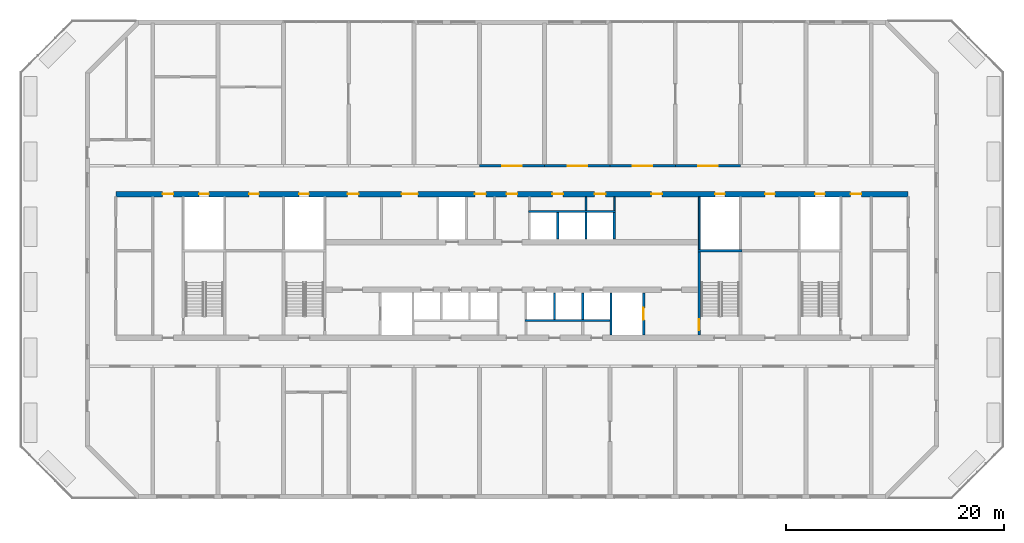
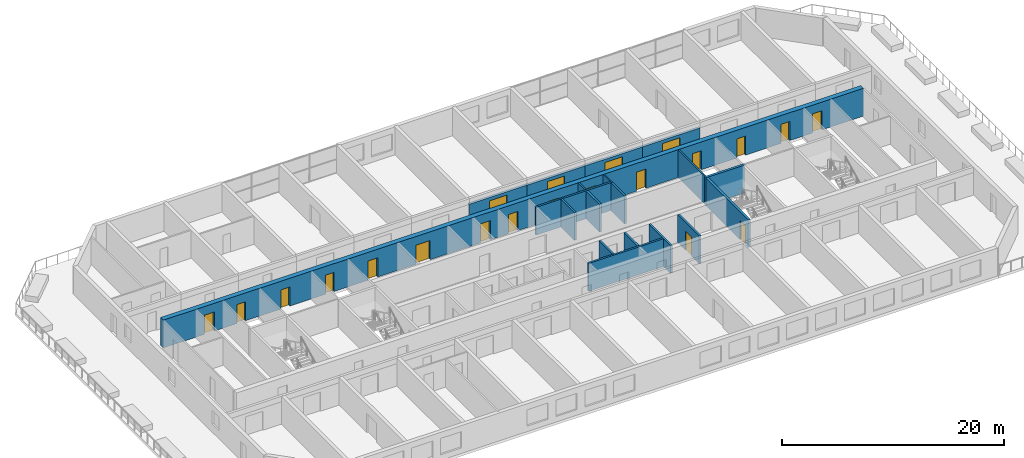
# One storey, part 11 of 18: 21 doors, 19 walls, 21 openings.
"""IFC4 building model written with IfcOpenShell, lengths in metres."""

from ifc_helpers import new_model, si_unit, direction, frame, frame_2d, origin, place, context, subcontext, project, spatial, rectangle, extrude, material, layer, layer_set, type_object, element, fill, save


model = new_model("IFC4")

# Units and contexts
model_context = context("Model", 3, precision=1e-05, world=origin(), true_north=direction((0.0, 1.0)))
body_context = subcontext(model_context, "Body", "Model", "MODEL_VIEW")
ifc_project = project(units=[si_unit("LENGTHUNIT", "METRE"), si_unit("AREAUNIT", "SQUARE_METRE"), si_unit("VOLUMEUNIT", "CUBIC_METRE"), si_unit("PLANEANGLEUNIT", "RADIAN"), si_unit("MASSUNIT", "GRAM", prefix="KILO")], contexts=[model_context])

# Site, building, storey
site_placement = place(None, origin())
site = spatial("IfcSite", under=ifc_project, at=site_placement, CompositionType="ELEMENT")
building_placement = place(site_placement, origin())
building = spatial("IfcBuilding", under=site, at=building_placement, Name="Poui Terraces", CompositionType="ELEMENT")
storey_placement = place(building_placement, frame((0.0, 0.0, 105.89990234375)))
storey = spatial("IfcBuildingStorey", under=building, at=storey_placement, Name="L29", CompositionType="ELEMENT", Elevation=105.89990234375)

# Wall, opening, door
ifc_material_1 = material(Name="Concrete 65 MPa", Category="concrete")
ifc_layer_1 = layer(ifc_material_1, 0.25)
ifc_layer_set_1 = layer_set([ifc_layer_1], Name="Concrete 65 MPa")
wall_type_1 = type_object("IfcWallType", Name="CORRIDOR WALL 250 65MPa", PredefinedType="SHEAR", material=ifc_layer_set_1)
wall_1_placement = place(storey_placement, frame((48.0, 30.39990234375, 0.0), z_axis=(0.0, 0.0, 1.0), x_axis=(1.0, 0.0, 0.0)))
wall_1 = element("IfcWall", 1, at=wall_1_placement, inside=storey, type_object=wall_type_1, Name="CORRIDOR WALL LINE E BAY 7", PredefinedType="SHEAR", context=body_context, shape_type="SweptSolid", body=[
    extrude(rectangle(XDim=6.0, YDim=0.25, at=frame_2d((3.0, 0.0))), origin(), (0.0, 0.0, 1.0), 2.460205078125),
])
opening_1_placement = place(wall_1_placement, frame((2.10009765625, 0.0, 0.0)))
opening_1 = element("IfcOpeningElement", 2, at=opening_1_placement, cuts=wall_1, Name="Opening DD180", PredefinedType="OPENING", context=body_context, shape_type="SweptSolid", body=[
    extrude(rectangle(XDim=1.800048828125, YDim=2.10009765625, at=frame_2d((0.89990234375, 1.050048828125))), frame((0.0, 0.135009765625, 0.0), z_axis=(0.0, -1.0, 0.0), x_axis=(1.0, 0.0, 0.0)), (0.0, 0.0, 1.0), 0.27001953125),
])
ifc_material_2 = material(Name="Steel fire door", Category="steel")
door_type_1 = type_object("IfcDoorType", Name="DOUBLE INTERNAL DOOR 1800 X 2100", OperationType="DOUBLE_DOOR_SINGLE_SWING", PredefinedType="DOOR", material=ifc_material_2)
door_1_placement = place(opening_1_placement, frame((1.800048828125, 0.0, 0.0), z_axis=(0.0, 0.0, 1.0), x_axis=(-1.0, 0.0, 0.0)))
door_1 = element("IfcDoor", 3, at=door_1_placement, inside=storey, type_object=door_type_1, Name="DOUBLE INTERNAL DOOR 017", OperationType="DOUBLE_DOOR_SINGLE_SWING", OverallHeight=2.10009765625, OverallWidth=1.800048828125, PredefinedType="DOOR", context=body_context, shape_type="SweptSolid", body=[
    extrude(rectangle(XDim=1.800048828125, YDim=2.10009765625, at=frame_2d((0.89990234375, 1.050048828125))), frame((0.0, 0.02490234375, 0.0), z_axis=(0.0, -1.0, 0.0), x_axis=(1.0, 0.0, 0.0)), (0.0, 0.0, 1.0), 0.050048828125),
])
fill(opening_1, door_1)

wall_2_placement = place(storey_placement, frame((54.0, 30.39990234375, 0.0), z_axis=(0.0, 0.0, 1.0), x_axis=(1.0, 0.0, 0.0)))
wall_2 = element("IfcWall", 4, at=wall_2_placement, inside=storey, type_object=wall_type_1, Name="CORRIDOR WALL LINE E BAY 8", PredefinedType="SHEAR", context=body_context, shape_type="SweptSolid", body=[
    extrude(rectangle(XDim=6.0, YDim=0.25, at=frame_2d((3.0, 0.0))), origin(), (0.0, 0.0, 1.0), 2.460205078125),
])
opening_2_placement = place(wall_2_placement, frame((2.10009765625, 0.0, 0.0)))
opening_2 = element("IfcOpeningElement", 5, at=opening_2_placement, cuts=wall_2, Name="Opening DD180", PredefinedType="OPENING", context=body_context, shape_type="SweptSolid", body=[
    extrude(rectangle(XDim=1.800048828125, YDim=2.10009765625, at=frame_2d((0.89990234375, 1.050048828125))), frame((0.0, 0.135009765625, 0.0), z_axis=(0.0, -1.0, 0.0), x_axis=(1.0, 0.0, 0.0)), (0.0, 0.0, 1.0), 0.27001953125),
])
door_2_placement = place(opening_2_placement, frame((1.800048828125, 0.0, 0.0), z_axis=(0.0, 0.0, 1.0), x_axis=(-1.0, 0.0, 0.0)))
door_2 = element("IfcDoor", 6, at=door_2_placement, inside=storey, type_object=door_type_1, Name="DOUBLE INTERNAL DOOR 019", OperationType="DOUBLE_DOOR_SINGLE_SWING", OverallHeight=2.10009765625, OverallWidth=1.800048828125, PredefinedType="DOOR", context=body_context, shape_type="SweptSolid", body=[
    extrude(rectangle(XDim=1.800048828125, YDim=2.10009765625, at=frame_2d((0.89990234375, 1.050048828125))), frame((0.0, 0.02490234375, 0.0), z_axis=(0.0, -1.0, 0.0), x_axis=(1.0, 0.0, 0.0)), (0.0, 0.0, 1.0), 0.050048828125),
])
fill(opening_2, door_2)

wall_3_placement = place(storey_placement, frame((60.0, 30.39990234375, 0.0), z_axis=(0.0, 0.0, 1.0), x_axis=(1.0, 0.0, 0.0)))
wall_3 = element("IfcWall", 7, at=wall_3_placement, inside=storey, type_object=wall_type_1, Name="CORRIDOR WALL LINE E BAY 9", PredefinedType="SHEAR", context=body_context, shape_type="SweptSolid", body=[
    extrude(rectangle(XDim=6.0, YDim=0.25, at=frame_2d((3.0, 0.0))), origin(), (0.0, 0.0, 1.0), 2.460205078125),
])
opening_3_placement = place(wall_3_placement, frame((2.10009765625, 0.0, 0.0)))
opening_3 = element("IfcOpeningElement", 8, at=opening_3_placement, cuts=wall_3, Name="Opening DD180", PredefinedType="OPENING", context=body_context, shape_type="SweptSolid", body=[
    extrude(rectangle(XDim=1.800048828125, YDim=2.10009765625, at=frame_2d((0.89990234375, 1.050048828125))), frame((0.0, 0.135009765625, 0.0), z_axis=(0.0, -1.0, 0.0), x_axis=(1.0, 0.0, 0.0)), (0.0, 0.0, 1.0), 0.27001953125),
])
door_3_placement = place(opening_3_placement, frame((1.800048828125, 0.0, 0.0), z_axis=(0.0, 0.0, 1.0), x_axis=(-1.0, 0.0, 0.0)))
door_3 = element("IfcDoor", 9, at=door_3_placement, inside=storey, type_object=door_type_1, Name="DOUBLE INTERNAL DOOR 021", OperationType="DOUBLE_DOOR_SINGLE_SWING", OverallHeight=2.10009765625, OverallWidth=1.800048828125, PredefinedType="DOOR", context=body_context, shape_type="SweptSolid", body=[
    extrude(rectangle(XDim=1.800048828125, YDim=2.10009765625, at=frame_2d((0.89990234375, 1.050048828125))), frame((0.0, 0.02490234375, 0.0), z_axis=(0.0, -1.0, 0.0), x_axis=(1.0, 0.0, 0.0)), (0.0, 0.0, 1.0), 0.050048828125),
])
fill(opening_3, door_3)

wall_4_placement = place(storey_placement, frame((66.0, 30.39990234375, 0.0), z_axis=(0.0, 0.0, 1.0), x_axis=(1.0, 0.0, 0.0)))
wall_4 = element("IfcWall", 10, at=wall_4_placement, inside=storey, type_object=wall_type_1, Name="CORRIDOR WALL LINE E BAY 10", PredefinedType="SHEAR", context=body_context, shape_type="SweptSolid", body=[
    extrude(rectangle(XDim=6.0, YDim=0.25, at=frame_2d((3.0, 0.0))), origin(), (0.0, 0.0, 1.0), 2.460205078125),
])
opening_4_placement = place(wall_4_placement, frame((2.10009765625, 0.0, 0.0)))
opening_4 = element("IfcOpeningElement", 11, at=opening_4_placement, cuts=wall_4, Name="Opening DD180", PredefinedType="OPENING", context=body_context, shape_type="SweptSolid", body=[
    extrude(rectangle(XDim=1.800048828125, YDim=2.10009765625, at=frame_2d((0.89990234375, 1.050048828125))), frame((0.0, 0.135009765625, 0.0), z_axis=(0.0, -1.0, 0.0), x_axis=(1.0, 0.0, 0.0)), (0.0, 0.0, 1.0), 0.27001953125),
])
door_4_placement = place(opening_4_placement, frame((1.800048828125, 0.0, 0.0), z_axis=(0.0, 0.0, 1.0), x_axis=(-1.0, 0.0, 0.0)))
door_4 = element("IfcDoor", 12, at=door_4_placement, inside=storey, type_object=door_type_1, Name="DOUBLE INTERNAL DOOR 023", OperationType="DOUBLE_DOOR_SINGLE_SWING", OverallHeight=2.10009765625, OverallWidth=1.800048828125, PredefinedType="DOOR", context=body_context, shape_type="SweptSolid", body=[
    extrude(rectangle(XDim=1.800048828125, YDim=2.10009765625, at=frame_2d((0.89990234375, 1.050048828125))), frame((0.0, 0.02490234375, 0.0), z_axis=(0.0, -1.0, 0.0), x_axis=(1.0, 0.0, 0.0)), (0.0, 0.0, 1.0), 0.050048828125),
])
fill(opening_4, door_4)

# Walls
ifc_material_3 = material(Name="Plasterboard partition")
ifc_layer_2 = layer(ifc_material_3, 0.14990234375)
ifc_layer_set_2 = layer_set([ifc_layer_2], Name="Plasterboard partition")
wall_type_2 = type_object("IfcWallType", Name="PARTITION WALL 150", PredefinedType="PARTITIONING", material=ifc_layer_set_2)
for number, where, z_axis, x_axis, name in (
    (13, (57.800048828125, 26.300048828125, 0.0), (0.0, 0.0, 1.0), (0.0, 1.0, 0.0), "PARTITION WALL 150"),
    (14, (60.39990234375, 26.300048828125, 0.0), (0.0, 0.0, 1.0), (0.0, 1.0, 0.0), "PARTITION WALL 150"),
):
    element("IfcWall", number, at=place(storey_placement, frame(where, z_axis=z_axis, x_axis=x_axis)), inside=storey, type_object=wall_type_2, Name=name, PredefinedType="PARTITIONING", context=body_context, shape_type="SweptSolid", body=[
        extrude(rectangle(XDim=1.239990234375, YDim=0.14990234375, at=frame_2d((0.6201171875, 0.0))), origin(), (0.0, 0.0, 1.0), 3.06005859375),
    ])
ifc_material_4 = material(Name="Fire-rated plasterboard riser wall")
ifc_layer_3 = layer(ifc_material_4, 0.14990234375)
ifc_layer_set_3 = layer_set([ifc_layer_3], Name="Fire-rated plasterboard riser wall")
wall_type_3 = type_object("IfcWallType", Name="RISER WALL 150", PredefinedType="PARTITIONING", material=ifc_layer_set_3)
wall_5_placement = place(storey_placement, frame((68.199951171875, 22.735107421875, 0.0), z_axis=(0.0, 0.0, 1.0), x_axis=(0.0, 1.0, 0.0)))
element("IfcWall", 15, at=wall_5_placement, inside=storey, type_object=wall_type_3, Name="RISER WALL 150", PredefinedType="PARTITIONING", context=body_context, shape_type="SweptSolid", body=[
    extrude(rectangle(XDim=4.804931640625, YDim=0.14990234375, at=frame_2d((2.40234375, 0.0))), origin(), (0.0, 0.0, 1.0), 3.06005859375),
])
ifc_material_5 = material(Name="Fire-rated masonry shaft wall", Category="masonry")
ifc_layer_4 = layer(ifc_material_5, 0.199951171875)
ifc_layer_set_4 = layer_set([ifc_layer_4], Name="Fire-rated masonry shaft wall")
wall_type_4 = type_object("IfcWallType", Name="SHAFT WALL 200", PredefinedType="PARTITIONING", material=ifc_layer_set_4)
wall_6_placement = place(storey_placement, frame((52.199951171875, 16.199951171875, 0.0), z_axis=(0.0, 0.0, 1.0), x_axis=(1.0, 0.0, 0.0)))
element("IfcWall", 16, at=wall_6_placement, inside=storey, type_object=wall_type_4, Name="SHAFT WALL 200", PredefinedType="PARTITIONING", context=body_context, shape_type="SweptSolid", body=[
    extrude(rectangle(XDim=7.800048828125, YDim=0.199951171875, at=frame_2d((3.89990234375, 0.0))), origin(), (0.0, 0.0, 1.0), 3.06005859375),
])
wall_7_placement = place(storey_placement, frame((52.5, 26.199951171875, 0.0), z_axis=(0.0, 0.0, 1.0), x_axis=(1.0, 0.0, 0.0)))
element("IfcWall", 17, at=wall_7_placement, inside=storey, type_object=wall_type_4, Name="SHAFT WALL 200", PredefinedType="PARTITIONING", context=body_context, shape_type="SweptSolid", body=[
    extrude(rectangle(XDim=8.0, YDim=0.199951171875, at=frame_2d((4.0, 0.0))), origin(), (0.0, 0.0, 1.0), 3.06005859375),
])
wall_8_placement = place(storey_placement, frame((54.89990234375, 16.300048828125, 0.0), z_axis=(0.0, 0.0, 1.0), x_axis=(0.0, 1.0, 0.0)))
element("IfcWall", 18, at=wall_8_placement, inside=storey, type_object=wall_type_4, Name="SHAFT WALL 200", PredefinedType="PARTITIONING", context=body_context, shape_type="SweptSolid", body=[
    extrude(rectangle(XDim=2.43994140625, YDim=0.199951171875, at=frame_2d((1.219970703125, 0.0))), origin(), (0.0, 0.0, 1.0), 3.06005859375),
])
wall_9_placement = place(storey_placement, frame((55.199951171875, 23.659912109375, 0.0), z_axis=(0.0, 0.0, 1.0), x_axis=(0.0, 1.0, 0.0)))
element("IfcWall", 19, at=wall_9_placement, inside=storey, type_object=wall_type_4, Name="SHAFT WALL 200", PredefinedType="PARTITIONING", context=body_context, shape_type="SweptSolid", body=[
    extrude(rectangle(XDim=2.440185546875, YDim=0.199951171875, at=frame_2d((1.22021484375, 0.0))), origin(), (0.0, 0.0, 1.0), 3.06005859375),
])
wall_10_placement = place(storey_placement, frame((57.5, 16.300048828125, 0.0), z_axis=(0.0, 0.0, 1.0), x_axis=(0.0, 1.0, 0.0)))
element("IfcWall", 20, at=wall_10_placement, inside=storey, type_object=wall_type_4, Name="SHAFT WALL 200", PredefinedType="PARTITIONING", context=body_context, shape_type="SweptSolid", body=[
    extrude(rectangle(XDim=2.43994140625, YDim=0.199951171875, at=frame_2d((1.219970703125, 0.0))), origin(), (0.0, 0.0, 1.0), 3.06005859375),
])
wall_11_placement = place(storey_placement, frame((57.800048828125, 23.659912109375, 0.0), z_axis=(0.0, 0.0, 1.0), x_axis=(0.0, 1.0, 0.0)))
element("IfcWall", 21, at=wall_11_placement, inside=storey, type_object=wall_type_4, Name="SHAFT WALL 200", PredefinedType="PARTITIONING", context=body_context, shape_type="SweptSolid", body=[
    extrude(rectangle(XDim=2.440185546875, YDim=0.199951171875, at=frame_2d((1.22021484375, 0.0))), origin(), (0.0, 0.0, 1.0), 3.06005859375),
])
wall_12_placement = place(storey_placement, frame((60.10009765625, 14.860107421875, 0.0), z_axis=(0.0, 0.0, 1.0), x_axis=(0.0, 1.0, 0.0)))
element("IfcWall", 22, at=wall_12_placement, inside=storey, type_object=wall_type_4, Name="SHAFT WALL 200", PredefinedType="PARTITIONING", context=body_context, shape_type="SweptSolid", body=[
    extrude(rectangle(XDim=3.8798828125, YDim=0.199951171875, at=frame_2d((1.93994140625, 0.0))), origin(), (0.0, 0.0, 1.0), 3.06005859375),
])
wall_13_placement = place(storey_placement, frame((60.39990234375, 23.659912109375, 0.0), z_axis=(0.0, 0.0, 1.0), x_axis=(0.0, 1.0, 0.0)))
element("IfcWall", 23, at=wall_13_placement, inside=storey, type_object=wall_type_4, Name="SHAFT WALL 200", PredefinedType="PARTITIONING", context=body_context, shape_type="SweptSolid", body=[
    extrude(rectangle(XDim=2.440185546875, YDim=0.199951171875, at=frame_2d((1.22021484375, 0.0))), origin(), (0.0, 0.0, 1.0), 3.06005859375),
])

# Wall, opening, door
wall_14_placement = place(storey_placement, frame((63.10009765625, 14.860107421875, 0.0), z_axis=(0.0, 0.0, 1.0), x_axis=(0.0, 1.0, 0.0)))
wall_14 = element("IfcWall", 24, at=wall_14_placement, inside=storey, type_object=wall_type_4, Name="SHAFT WALL 200", PredefinedType="PARTITIONING", context=body_context, shape_type="SweptSolid", body=[
    extrude(rectangle(XDim=3.8798828125, YDim=0.199951171875, at=frame_2d((1.93994140625, 0.0))), origin(), (0.0, 0.0, 1.0), 3.06005859375),
])
opening_5_placement = place(wall_14_placement, frame((1.389892578125, 0.0, 0.0)))
opening_5 = element("IfcOpeningElement", 25, at=opening_5_placement, cuts=wall_14, Name="Opening LD", PredefinedType="OPENING", context=body_context, shape_type="SweptSolid", body=[
    extrude(rectangle(XDim=1.10009765625, YDim=2.10009765625, at=frame_2d((0.550048828125, 1.050048828125))), frame((0.0, 0.10986328125, 0.0), z_axis=(0.0, -1.0, 0.0), x_axis=(1.0, 0.0, 0.0)), (0.0, 0.0, 1.0), 0.219970703125),
])
ifc_material_6 = material(Name="Stainless steel sliding door", Category="steel")
door_type_2 = type_object("IfcDoorType", Name="LIFT LANDING DOOR 1100 X 2100", OperationType="DOUBLE_DOOR_SLIDING", PredefinedType="DOOR", material=ifc_material_6)
door_5_placement = place(opening_5_placement, origin())
door_5 = element("IfcDoor", 26, at=door_5_placement, inside=storey, type_object=door_type_2, Name="LANDING DOOR", OperationType="DOUBLE_DOOR_SLIDING", OverallHeight=2.10009765625, OverallWidth=1.10009765625, PredefinedType="DOOR", context=body_context, shape_type="SweptSolid", body=[
    extrude(rectangle(XDim=1.10009765625, YDim=2.10009765625, at=frame_2d((0.550048828125, 1.050048828125))), frame((0.0, 0.02490234375, 0.0), z_axis=(0.0, -1.0, 0.0), x_axis=(1.0, 0.0, 0.0)), (0.0, 0.0, 1.0), 0.050048828125),
])
fill(opening_5, door_5)

# Wall, openings, doors
ifc_layer_5 = layer(ifc_material_1, 0.5)
ifc_layer_set_5 = layer_set([ifc_layer_5], Name="Concrete 65 MPa")
wall_type_5 = type_object("IfcWallType", Name="SPINE WALL 500 65 MPA", PredefinedType="SOLIDWALL", material=ifc_layer_set_5)
wall_15_placement = place(storey_placement, frame((14.60009765625, 27.800048828125, 0.0), z_axis=(0.0, 0.0, 1.0), x_axis=(1.0, 0.0, 0.0)))
wall_15 = element("IfcWall", 27, at=wall_15_placement, inside=storey, type_object=wall_type_5, Name="SPINE WALL", PredefinedType="SOLIDWALL", context=body_context, shape_type="SweptSolid", body=[
    extrude(rectangle(XDim=72.7998046875, YDim=0.5, at=frame_2d((36.39990234375, 0.0))), origin(), (0.0, 0.0, 1.0), 3.06005859375),
])
opening_6_placement = place(wall_15_placement, frame((4.300048828125, 0.0, 0.0)))
opening_6 = element("IfcOpeningElement", 28, at=opening_6_placement, cuts=wall_15, Name="Opening FDL", PredefinedType="OPENING", context=body_context, shape_type="SweptSolid", body=[
    extrude(rectangle(XDim=1.0, YDim=2.10009765625, at=frame_2d((0.5, 1.050048828125))), frame((0.0, 0.260009765625, 0.0), z_axis=(0.0, -1.0, 0.0), x_axis=(1.0, 0.0, 0.0)), (0.0, 0.0, 1.0), 0.52001953125),
])
opening_7_placement = place(wall_15_placement, frame((7.64990234375, 0.0, 0.0)))
opening_7 = element("IfcOpeningElement", 29, at=opening_7_placement, cuts=wall_15, Name="Opening FDR", PredefinedType="OPENING", context=body_context, shape_type="SweptSolid", body=[
    extrude(rectangle(XDim=0.89990234375, YDim=2.10009765625, at=frame_2d((0.449951171875, 1.050048828125))), frame((0.0, 0.260009765625, 0.0), z_axis=(0.0, -1.0, 0.0), x_axis=(1.0, 0.0, 0.0)), (0.0, 0.0, 1.0), 0.52001953125),
])
opening_8_placement = place(wall_15_placement, frame((12.25, 0.0, 0.0)))
opening_8 = element("IfcOpeningElement", 30, at=opening_8_placement, cuts=wall_15, Name="Opening D90", PredefinedType="OPENING", context=body_context, shape_type="SweptSolid", body=[
    extrude(rectangle(XDim=0.89990234375, YDim=2.10009765625, at=frame_2d((0.449951171875, 1.050048828125))), frame((0.0, 0.260009765625, 0.0), z_axis=(0.0, -1.0, 0.0), x_axis=(1.0, 0.0, 0.0)), (0.0, 0.0, 1.0), 0.52001953125),
])
opening_9_placement = place(wall_15_placement, frame((16.85009765625, 0.0, 0.0)))
opening_9 = element("IfcOpeningElement", 31, at=opening_9_placement, cuts=wall_15, Name="Opening FDR", PredefinedType="OPENING", context=body_context, shape_type="SweptSolid", body=[
    extrude(rectangle(XDim=0.89990234375, YDim=2.10009765625, at=frame_2d((0.449951171875, 1.050048828125))), frame((0.0, 0.260009765625, 0.0), z_axis=(0.0, -1.0, 0.0), x_axis=(1.0, 0.0, 0.0)), (0.0, 0.0, 1.0), 0.52001953125),
])
opening_10_placement = place(wall_15_placement, frame((21.300048828125, 0.0, 0.0)))
opening_10 = element("IfcOpeningElement", 32, at=opening_10_placement, cuts=wall_15, Name="Opening FD60", PredefinedType="OPENING", context=body_context, shape_type="SweptSolid", body=[
    extrude(rectangle(XDim=1.0, YDim=2.10009765625, at=frame_2d((0.5, 1.050048828125))), frame((0.0, 0.260009765625, 0.0), z_axis=(0.0, -1.0, 0.0), x_axis=(1.0, 0.0, 0.0)), (0.0, 0.0, 1.0), 0.52001953125),
])
opening_11_placement = place(wall_15_placement, frame((26.25, 0.0, 0.0)))
opening_11 = element("IfcOpeningElement", 33, at=opening_11_placement, cuts=wall_15, Name="Opening FDP", PredefinedType="OPENING", context=body_context, shape_type="SweptSolid", body=[
    extrude(rectangle(XDim=1.5, YDim=2.10009765625, at=frame_2d((0.75, 1.050048828125))), frame((0.0, 0.260009765625, 0.0), z_axis=(0.0, -1.0, 0.0), x_axis=(1.0, 0.0, 0.0)), (0.0, 0.0, 1.0), 0.52001953125),
])
opening_12_placement = place(wall_15_placement, frame((33.0, 0.0, 0.0)))
opening_12 = element("IfcOpeningElement", 34, at=opening_12_placement, cuts=wall_15, Name="Opening FD60", PredefinedType="OPENING", context=body_context, shape_type="SweptSolid", body=[
    extrude(rectangle(XDim=1.0, YDim=2.10009765625, at=frame_2d((0.5, 1.050048828125))), frame((0.0, 0.260009765625, 0.0), z_axis=(0.0, -1.0, 0.0), x_axis=(1.0, 0.0, 0.0)), (0.0, 0.0, 1.0), 0.52001953125),
])
opening_13_placement = place(wall_15_placement, frame((35.89990234375, 0.0, 0.0)))
opening_13 = element("IfcOpeningElement", 35, at=opening_13_placement, cuts=wall_15, Name="Opening FDL", PredefinedType="OPENING", context=body_context, shape_type="SweptSolid", body=[
    extrude(rectangle(XDim=1.0, YDim=2.10009765625, at=frame_2d((0.5, 1.050048828125))), frame((0.0, 0.260009765625, 0.0), z_axis=(0.0, -1.0, 0.0), x_axis=(1.0, 0.0, 0.0)), (0.0, 0.0, 1.0), 0.52001953125),
])
opening_14_placement = place(wall_15_placement, frame((40.10009765625, 0.0, 0.0)))
opening_14 = element("IfcOpeningElement", 36, at=opening_14_placement, cuts=wall_15, Name="Opening FD60", PredefinedType="OPENING", context=body_context, shape_type="SweptSolid", body=[
    extrude(rectangle(XDim=1.0, YDim=2.10009765625, at=frame_2d((0.5, 1.050048828125))), frame((0.0, 0.260009765625, 0.0), z_axis=(0.0, -1.0, 0.0), x_axis=(1.0, 0.0, 0.0)), (0.0, 0.0, 1.0), 0.52001953125),
])
opening_15_placement = place(wall_15_placement, frame((44.0, 0.0, 0.0)))
opening_15 = element("IfcOpeningElement", 37, at=opening_15_placement, cuts=wall_15, Name="Opening FD60", PredefinedType="OPENING", context=body_context, shape_type="SweptSolid", body=[
    extrude(rectangle(XDim=1.0, YDim=2.10009765625, at=frame_2d((0.5, 1.050048828125))), frame((0.0, 0.260009765625, 0.0), z_axis=(0.0, -1.0, 0.0), x_axis=(1.0, 0.0, 0.0)), (0.0, 0.0, 1.0), 0.52001953125),
])
opening_16_placement = place(wall_15_placement, frame((49.199951171875, 0.0, 0.0)))
opening_16 = element("IfcOpeningElement", 38, at=opening_16_placement, cuts=wall_15, Name="Opening FD60", PredefinedType="OPENING", context=body_context, shape_type="SweptSolid", body=[
    extrude(rectangle(XDim=1.0, YDim=2.10009765625, at=frame_2d((0.5, 1.050048828125))), frame((0.0, 0.260009765625, 0.0), z_axis=(0.0, -1.0, 0.0), x_axis=(1.0, 0.0, 0.0)), (0.0, 0.0, 1.0), 0.52001953125),
])
opening_17_placement = place(wall_15_placement, frame((55.050048828125, 0.0, 0.0)))
opening_17 = element("IfcOpeningElement", 39, at=opening_17_placement, cuts=wall_15, Name="Opening FDR", PredefinedType="OPENING", context=body_context, shape_type="SweptSolid", body=[
    extrude(rectangle(XDim=0.89990234375, YDim=2.10009765625, at=frame_2d((0.449951171875, 1.050048828125))), frame((0.0, 0.260009765625, 0.0), z_axis=(0.0, -1.0, 0.0), x_axis=(1.0, 0.0, 0.0)), (0.0, 0.0, 1.0), 0.52001953125),
])
opening_18_placement = place(wall_15_placement, frame((59.64990234375, 0.0, 0.0)))
opening_18 = element("IfcOpeningElement", 40, at=opening_18_placement, cuts=wall_15, Name="Opening D90", PredefinedType="OPENING", context=body_context, shape_type="SweptSolid", body=[
    extrude(rectangle(XDim=0.89990234375, YDim=2.10009765625, at=frame_2d((0.449951171875, 1.050048828125))), frame((0.0, 0.260009765625, 0.0), z_axis=(0.0, -1.0, 0.0), x_axis=(1.0, 0.0, 0.0)), (0.0, 0.0, 1.0), 0.52001953125),
])
opening_19_placement = place(wall_15_placement, frame((64.25, 0.0, 0.0)))
opening_19 = element("IfcOpeningElement", 41, at=opening_19_placement, cuts=wall_15, Name="Opening FDR", PredefinedType="OPENING", context=body_context, shape_type="SweptSolid", body=[
    extrude(rectangle(XDim=0.89990234375, YDim=2.10009765625, at=frame_2d((0.449951171875, 1.050048828125))), frame((0.0, 0.260009765625, 0.0), z_axis=(0.0, -1.0, 0.0), x_axis=(1.0, 0.0, 0.0)), (0.0, 0.0, 1.0), 0.52001953125),
])
opening_20_placement = place(wall_15_placement, frame((67.5, 0.0, 0.0)))
opening_20 = element("IfcOpeningElement", 42, at=opening_20_placement, cuts=wall_15, Name="Opening FDL", PredefinedType="OPENING", context=body_context, shape_type="SweptSolid", body=[
    extrude(rectangle(XDim=1.0, YDim=2.10009765625, at=frame_2d((0.5, 1.050048828125))), frame((0.0, 0.260009765625, 0.0), z_axis=(0.0, -1.0, 0.0), x_axis=(1.0, 0.0, 0.0)), (0.0, 0.0, 1.0), 0.52001953125),
])
ifc_material_7 = material(Name="Solid core timber door", Category="wood")
door_type_3 = type_object("IfcDoorType", Name="INTERNAL DOOR 900 X 2100", OperationType="NOTDEFINED", PredefinedType="DOOR", material=ifc_material_7)
door_6_placement = place(opening_8_placement, origin())
door_6 = element("IfcDoor", 43, at=door_6_placement, inside=storey, type_object=door_type_3, Name="INTERNAL DOOR 008", OperationType="SINGLE_SWING_RIGHT", OverallHeight=2.10009765625, OverallWidth=0.89990234375, PredefinedType="DOOR", context=body_context, shape_type="SweptSolid", body=[
    extrude(rectangle(XDim=0.89990234375, YDim=2.10009765625, at=frame_2d((0.449951171875, 1.050048828125))), frame((0.0, 0.02490234375, 0.0), z_axis=(0.0, -1.0, 0.0), x_axis=(1.0, 0.0, 0.0)), (0.0, 0.0, 1.0), 0.050048828125),
])
fill(opening_8, door_6)
door_7_placement = place(opening_18_placement, origin())
door_7 = element("IfcDoor", 44, at=door_7_placement, inside=storey, type_object=door_type_3, Name="INTERNAL DOOR 025", OperationType="SINGLE_SWING_RIGHT", OverallHeight=2.10009765625, OverallWidth=0.89990234375, PredefinedType="DOOR", context=body_context, shape_type="SweptSolid", body=[
    extrude(rectangle(XDim=0.89990234375, YDim=2.10009765625, at=frame_2d((0.449951171875, 1.050048828125))), frame((0.0, 0.02490234375, 0.0), z_axis=(0.0, -1.0, 0.0), x_axis=(1.0, 0.0, 0.0)), (0.0, 0.0, 1.0), 0.050048828125),
])
fill(opening_18, door_7)
door_type_4 = type_object("IfcDoorType", Name="LOBBY FIRE DOOR 1000 X 2100", OperationType="NOTDEFINED", PredefinedType="DOOR", material=ifc_material_2)
door_8_placement = place(opening_6_placement, origin())
door_8 = element("IfcDoor", 45, at=door_8_placement, inside=storey, type_object=door_type_4, Name="LOBBY FIRE DOOR 004", OperationType="SINGLE_SWING_LEFT", OverallHeight=2.10009765625, OverallWidth=1.0, PredefinedType="DOOR", context=body_context, shape_type="SweptSolid", body=[
    extrude(rectangle(XDim=1.0, YDim=2.10009765625, at=frame_2d((0.5, 1.050048828125))), frame((0.0, 0.02490234375, 0.0), z_axis=(0.0, -1.0, 0.0), x_axis=(1.0, 0.0, 0.0)), (0.0, 0.0, 1.0), 0.050048828125),
])
fill(opening_6, door_8)
door_9_placement = place(opening_13_placement, origin())
door_9 = element("IfcDoor", 46, at=door_9_placement, inside=storey, type_object=door_type_4, Name="LOBBY FIRE DOOR 016", OperationType="SINGLE_SWING_RIGHT", OverallHeight=2.10009765625, OverallWidth=1.0, PredefinedType="DOOR", context=body_context, shape_type="SweptSolid", body=[
    extrude(rectangle(XDim=1.0, YDim=2.10009765625, at=frame_2d((0.5, 1.050048828125))), frame((0.0, 0.02490234375, 0.0), z_axis=(0.0, -1.0, 0.0), x_axis=(1.0, 0.0, 0.0)), (0.0, 0.0, 1.0), 0.050048828125),
])
fill(opening_13, door_9)
door_10_placement = place(opening_20_placement, origin())
door_10 = element("IfcDoor", 47, at=door_10_placement, inside=storey, type_object=door_type_4, Name="LOBBY FIRE DOOR 029", OperationType="SINGLE_SWING_RIGHT", OverallHeight=2.10009765625, OverallWidth=1.0, PredefinedType="DOOR", context=body_context, shape_type="SweptSolid", body=[
    extrude(rectangle(XDim=1.0, YDim=2.10009765625, at=frame_2d((0.5, 1.050048828125))), frame((0.0, 0.02490234375, 0.0), z_axis=(0.0, -1.0, 0.0), x_axis=(1.0, 0.0, 0.0)), (0.0, 0.0, 1.0), 0.050048828125),
])
fill(opening_20, door_10)
door_type_5 = type_object("IfcDoorType", Name="PLANT ROOM DOOR PAIR 1500 X 2100", OperationType="DOUBLE_DOOR_SINGLE_SWING", PredefinedType="DOOR", material=ifc_material_2)
door_11_placement = place(opening_11_placement, origin())
door_11 = element("IfcDoor", 48, at=door_11_placement, inside=storey, type_object=door_type_5, Name="PLANT ROOM DOOR PAIR 013", OperationType="DOUBLE_DOOR_SINGLE_SWING", OverallHeight=2.10009765625, OverallWidth=1.5, PredefinedType="DOOR", context=body_context, shape_type="SweptSolid", body=[
    extrude(rectangle(XDim=1.5, YDim=2.10009765625, at=frame_2d((0.75, 1.050048828125))), frame((0.0, 0.02490234375, 0.0), z_axis=(0.0, -1.0, 0.0), x_axis=(1.0, 0.0, 0.0)), (0.0, 0.0, 1.0), 0.050048828125),
])
fill(opening_11, door_11)
door_type_6 = type_object("IfcDoorType", Name="RISER CUPBOARD DOOR 900 X 2100", OperationType="NOTDEFINED", PredefinedType="DOOR", material=ifc_material_2)
door_12_placement = place(opening_7_placement, origin())
door_12 = element("IfcDoor", 49, at=door_12_placement, inside=storey, type_object=door_type_6, Name="RISER CUPBOARD DOOR 006", OperationType="SINGLE_SWING_LEFT", OverallHeight=2.10009765625, OverallWidth=0.89990234375, PredefinedType="DOOR", context=body_context, shape_type="SweptSolid", body=[
    extrude(rectangle(XDim=0.89990234375, YDim=2.10009765625, at=frame_2d((0.449951171875, 1.050048828125))), frame((0.0, 0.02490234375, 0.0), z_axis=(0.0, -1.0, 0.0), x_axis=(1.0, 0.0, 0.0)), (0.0, 0.0, 1.0), 0.050048828125),
])
fill(opening_7, door_12)
door_13_placement = place(opening_9_placement, origin())
door_13 = element("IfcDoor", 50, at=door_13_placement, inside=storey, type_object=door_type_6, Name="RISER CUPBOARD DOOR 009", OperationType="SINGLE_SWING_LEFT", OverallHeight=2.10009765625, OverallWidth=0.89990234375, PredefinedType="DOOR", context=body_context, shape_type="SweptSolid", body=[
    extrude(rectangle(XDim=0.89990234375, YDim=2.10009765625, at=frame_2d((0.449951171875, 1.050048828125))), frame((0.0, 0.02490234375, 0.0), z_axis=(0.0, -1.0, 0.0), x_axis=(1.0, 0.0, 0.0)), (0.0, 0.0, 1.0), 0.050048828125),
])
fill(opening_9, door_13)
door_14_placement = place(opening_17_placement, origin())
door_14 = element("IfcDoor", 51, at=door_14_placement, inside=storey, type_object=door_type_6, Name="RISER CUPBOARD DOOR 024", OperationType="SINGLE_SWING_RIGHT", OverallHeight=2.10009765625, OverallWidth=0.89990234375, PredefinedType="DOOR", context=body_context, shape_type="SweptSolid", body=[
    extrude(rectangle(XDim=0.89990234375, YDim=2.10009765625, at=frame_2d((0.449951171875, 1.050048828125))), frame((0.0, 0.02490234375, 0.0), z_axis=(0.0, -1.0, 0.0), x_axis=(1.0, 0.0, 0.0)), (0.0, 0.0, 1.0), 0.050048828125),
])
fill(opening_17, door_14)
door_15_placement = place(opening_19_placement, origin())
door_15 = element("IfcDoor", 52, at=door_15_placement, inside=storey, type_object=door_type_6, Name="RISER CUPBOARD DOOR 027", OperationType="SINGLE_SWING_RIGHT", OverallHeight=2.10009765625, OverallWidth=0.89990234375, PredefinedType="DOOR", context=body_context, shape_type="SweptSolid", body=[
    extrude(rectangle(XDim=0.89990234375, YDim=2.10009765625, at=frame_2d((0.449951171875, 1.050048828125))), frame((0.0, 0.02490234375, 0.0), z_axis=(0.0, -1.0, 0.0), x_axis=(1.0, 0.0, 0.0)), (0.0, 0.0, 1.0), 0.050048828125),
])
fill(opening_19, door_15)
door_type_7 = type_object("IfcDoorType", Name="SERVICE ROOM FIRE DOOR 1000 X 2100", OperationType="NOTDEFINED", PredefinedType="DOOR", material=ifc_material_2)
door_16_placement = place(opening_10_placement, origin())
door_16 = element("IfcDoor", 53, at=door_16_placement, inside=storey, type_object=door_type_7, Name="SERVICE ROOM FIRE DOOR 011", OperationType="SINGLE_SWING_RIGHT", OverallHeight=2.10009765625, OverallWidth=1.0, PredefinedType="DOOR", context=body_context, shape_type="SweptSolid", body=[
    extrude(rectangle(XDim=1.0, YDim=2.10009765625, at=frame_2d((0.5, 1.050048828125))), frame((0.0, 0.02490234375, 0.0), z_axis=(0.0, -1.0, 0.0), x_axis=(1.0, 0.0, 0.0)), (0.0, 0.0, 1.0), 0.050048828125),
])
fill(opening_10, door_16)
door_17_placement = place(opening_12_placement, origin())
door_17 = element("IfcDoor", 54, at=door_17_placement, inside=storey, type_object=door_type_7, Name="SERVICE ROOM FIRE DOOR 015", OperationType="SINGLE_SWING_RIGHT", OverallHeight=2.10009765625, OverallWidth=1.0, PredefinedType="DOOR", context=body_context, shape_type="SweptSolid", body=[
    extrude(rectangle(XDim=1.0, YDim=2.10009765625, at=frame_2d((0.5, 1.050048828125))), frame((0.0, 0.02490234375, 0.0), z_axis=(0.0, -1.0, 0.0), x_axis=(1.0, 0.0, 0.0)), (0.0, 0.0, 1.0), 0.050048828125),
])
fill(opening_12, door_17)
door_18_placement = place(opening_14_placement, origin())
door_18 = element("IfcDoor", 55, at=door_18_placement, inside=storey, type_object=door_type_7, Name="SERVICE ROOM FIRE DOOR 018", OperationType="SINGLE_SWING_LEFT", OverallHeight=2.10009765625, OverallWidth=1.0, PredefinedType="DOOR", context=body_context, shape_type="SweptSolid", body=[
    extrude(rectangle(XDim=1.0, YDim=2.10009765625, at=frame_2d((0.5, 1.050048828125))), frame((0.0, 0.02490234375, 0.0), z_axis=(0.0, -1.0, 0.0), x_axis=(1.0, 0.0, 0.0)), (0.0, 0.0, 1.0), 0.050048828125),
])
fill(opening_14, door_18)
door_19_placement = place(opening_15_placement, origin())
door_19 = element("IfcDoor", 56, at=door_19_placement, inside=storey, type_object=door_type_7, Name="SERVICE ROOM FIRE DOOR 020", OperationType="SINGLE_SWING_RIGHT", OverallHeight=2.10009765625, OverallWidth=1.0, PredefinedType="DOOR", context=body_context, shape_type="SweptSolid", body=[
    extrude(rectangle(XDim=1.0, YDim=2.10009765625, at=frame_2d((0.5, 1.050048828125))), frame((0.0, 0.02490234375, 0.0), z_axis=(0.0, -1.0, 0.0), x_axis=(1.0, 0.0, 0.0)), (0.0, 0.0, 1.0), 0.050048828125),
])
fill(opening_15, door_19)
door_20_placement = place(opening_16_placement, origin())
door_20 = element("IfcDoor", 57, at=door_20_placement, inside=storey, type_object=door_type_7, Name="SERVICE ROOM FIRE DOOR 022", OperationType="SINGLE_SWING_LEFT", OverallHeight=2.10009765625, OverallWidth=1.0, PredefinedType="DOOR", context=body_context, shape_type="SweptSolid", body=[
    extrude(rectangle(XDim=1.0, YDim=2.10009765625, at=frame_2d((0.5, 1.050048828125))), frame((0.0, 0.02490234375, 0.0), z_axis=(0.0, -1.0, 0.0), x_axis=(1.0, 0.0, 0.0)), (0.0, 0.0, 1.0), 0.050048828125),
])
fill(opening_16, door_20)

# Wall, opening, door
ifc_layer_6 = layer(ifc_material_1, 0.25)
ifc_layer_set_6 = layer_set([ifc_layer_6], Name="Concrete 65 MPa")
wall_type_6 = type_object("IfcWallType", Name="STAIR CORE WALL 250 65 MPA", PredefinedType="SOLIDWALL", material=ifc_layer_set_6)
wall_16_placement = place(storey_placement, frame((68.199951171875, 14.85009765625, 0.0), z_axis=(0.0, 0.0, 1.0), x_axis=(0.0, 1.0, 0.0)))
wall_16 = element("IfcWall", 58, at=wall_16_placement, inside=storey, type_object=wall_type_6, Name="STAIR CORE WALL", PredefinedType="SOLIDWALL", context=body_context, shape_type="SweptSolid", body=[
    extrude(rectangle(XDim=7.625, YDim=0.25, at=frame_2d((3.8125, 0.0))), origin(), (0.0, 0.0, 1.0), 3.06005859375),
])
opening_21_placement = place(wall_16_placement, frame((0.449951171875, 0.0, 0.0)))
opening_21 = element("IfcOpeningElement", 59, at=opening_21_placement, cuts=wall_16, Name="Opening FD60S", PredefinedType="OPENING", context=body_context, shape_type="SweptSolid", body=[
    extrude(rectangle(XDim=1.0, YDim=2.10009765625, at=frame_2d((0.5, 1.050048828125))), frame((0.0, 0.135009765625, 0.0), z_axis=(0.0, -1.0, 0.0), x_axis=(1.0, 0.0, 0.0)), (0.0, 0.0, 1.0), 0.27001953125),
])
door_type_8 = type_object("IfcDoorType", Name="STAIR DOOR 1000 X 2100", OperationType="NOTDEFINED", PredefinedType="DOOR", material=ifc_material_2)
door_21_placement = place(opening_21_placement, frame((1.0, 0.0, 0.0), z_axis=(0.0, 0.0, 1.0), x_axis=(-1.0, 0.0, 0.0)))
door_21 = element("IfcDoor", 60, at=door_21_placement, inside=storey, type_object=door_type_8, Name="STAIR DOOR 072", OperationType="SINGLE_SWING_LEFT", OverallHeight=2.10009765625, OverallWidth=1.0, PredefinedType="DOOR", context=body_context, shape_type="SweptSolid", body=[
    extrude(rectangle(XDim=1.0, YDim=2.10009765625, at=frame_2d((0.5, 1.050048828125))), frame((0.0, 0.02490234375, 0.0), z_axis=(0.0, -1.0, 0.0), x_axis=(1.0, 0.0, 0.0)), (0.0, 0.0, 1.0), 0.050048828125),
])
fill(opening_21, door_21)

# Wall
wall_17_placement = place(storey_placement, frame((68.074951171875, 22.60009765625, 0.0), z_axis=(0.0, 0.0, 1.0), x_axis=(1.0, 0.0, 0.0)))
element("IfcWall", 61, at=wall_17_placement, inside=storey, type_object=wall_type_6, Name="STAIR CORE WALL", PredefinedType="SOLIDWALL", context=body_context, shape_type="SweptSolid", body=[
    extrude(rectangle(XDim=4.050048828125, YDim=0.25, at=frame_2d((2.02490234375, 0.0))), origin(), (0.0, 0.0, 1.0), 3.06005859375),
])

save(model, "model.ifc")
